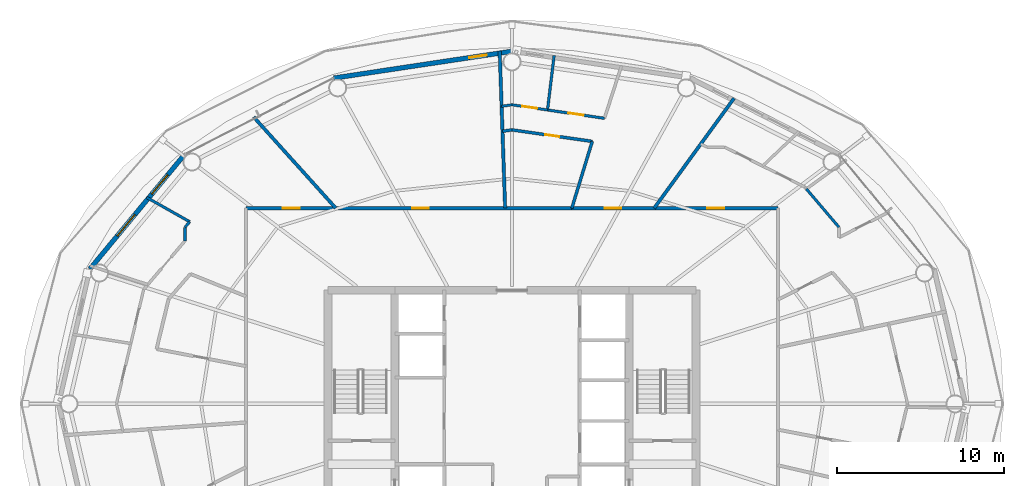
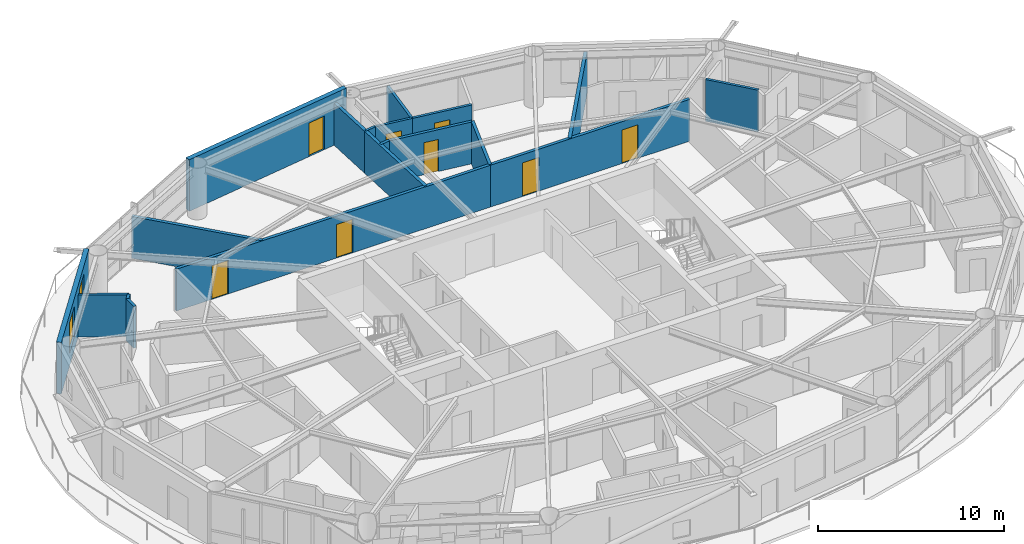
# One storey, part 25 of 30: 19 walls, 8 doors, 2 windows, 10 openings.
"""IFC4 building model written with IfcOpenShell, lengths in metres."""

from ifc_helpers import new_model, si_unit, direction, frame, frame_2d, origin, place, context, subcontext, project, spatial, rectangle, extrude, material, layer, layer_set, type_object, element, fill, save


model = new_model("IFC4")

# Units and contexts
model_context = context("Model", 3, precision=1e-05, world=origin(), true_north=direction((0.0, 1.0)))
body_context = subcontext(model_context, "Body", "Model", "MODEL_VIEW")
ifc_project = project(units=[si_unit("LENGTHUNIT", "METRE"), si_unit("AREAUNIT", "SQUARE_METRE"), si_unit("VOLUMEUNIT", "CUBIC_METRE"), si_unit("PLANEANGLEUNIT", "RADIAN"), si_unit("MASSUNIT", "GRAM", prefix="KILO")], contexts=[model_context])

# Site, building, storey
site_placement = place(None, origin())
site = spatial("IfcSite", under=ifc_project, at=site_placement, CompositionType="ELEMENT")
building_placement = place(site_placement, origin())
building = spatial("IfcBuilding", under=site, at=building_placement, Name="Sarneth Arch Tower", CompositionType="ELEMENT")
storey_placement = place(building_placement, frame((0.0, 0.0, 168.60009765625)))
storey = spatial("IfcBuildingStorey", under=building, at=storey_placement, Name="L42", CompositionType="ELEMENT", Elevation=168.60009765625)

# Wall, openings, doors
ifc_material_1 = material(Name="Double steel-stud corridor fire wall", Category="steel")
ifc_layer_1 = layer(ifc_material_1, 0.18994140625)
ifc_layer_set_1 = layer_set([ifc_layer_1], Name="Double steel-stud corridor fire wall")
wall_type_1 = type_object("IfcWallType", Name="WALL-CORR-190", PredefinedType="PARTITIONING", material=ifc_layer_set_1)
wall_1_placement = place(storey_placement, frame((32.10009765625, 53.699951171875, 0.0), z_axis=(0.0, 0.0, 1.0), x_axis=(1.0, 0.0, 0.0)))
wall_1 = element("IfcWall", 1, at=wall_1_placement, inside=storey, type_object=wall_type_1, Name="L42 Interior partition W-L42-TP-006", PredefinedType="PARTITIONING", context=body_context, shape_type="SweptSolid", body=[
    extrude(rectangle(XDim=19.476806640625, YDim=0.18994140625, at=frame_2d((9.73828125, 0.0))), origin(), (0.0, 0.0, 1.0), 2.739990234375),
])
opening_1_placement = place(wall_1_placement, frame((9.9228515625, 0.0, 0.0)))
opening_1 = element("IfcOpeningElement", 2, at=opening_1_placement, cuts=wall_1, Name="Opening FD-08", PredefinedType="OPENING", context=body_context, shape_type="SweptSolid", body=[
    extrude(rectangle(XDim=1.0, YDim=2.199951171875, at=frame_2d((0.5, 1.10009765625))), frame((0.0, 0.10498046875, 0.0), z_axis=(0.0, -1.0, 0.0), x_axis=(1.0, 0.0, 0.0)), (0.0, 0.0, 1.0), 0.2099609375),
])
opening_2_placement = place(wall_1_placement, frame((2.2041015625, 0.0, 0.0)))
opening_2 = element("IfcOpeningElement", 3, at=opening_2_placement, cuts=wall_1, Name="Opening FD-08", PredefinedType="OPENING", context=body_context, shape_type="SweptSolid", body=[
    extrude(rectangle(XDim=1.0, YDim=2.199951171875, at=frame_2d((0.5, 1.10009765625))), frame((0.0, 0.10498046875, 0.0), z_axis=(0.0, -1.0, 0.0), x_axis=(1.0, 0.0, 0.0)), (0.0, 0.0, 1.0), 0.2099609375),
])
ifc_material_2 = material(Name="Hardwood timber acoustic fire door", Category="wood")
door_type_1 = type_object("IfcDoorType", Name="DR-FD60-1000", OperationType="SINGLE_SWING_LEFT", PredefinedType="DOOR", material=ifc_material_2)
door_1_placement = place(opening_1_placement, origin())
door_1 = element("IfcDoor", 4, at=door_1_placement, inside=storey, type_object=door_type_1, Name="L42 Interior door DR-L42-RAMN-03", OperationType="SINGLE_SWING_RIGHT", OverallHeight=2.199951171875, OverallWidth=1.0, PredefinedType="DOOR", context=body_context, shape_type="SweptSolid", body=[
    extrude(rectangle(XDim=1.0, YDim=2.199951171875, at=frame_2d((0.5, 1.10009765625))), frame((0.0, 0.02490234375, 0.0), z_axis=(0.0, -1.0, 0.0), x_axis=(1.0, 0.0, 0.0)), (0.0, 0.0, 1.0), 0.050048828125),
])
fill(opening_1, door_1)
door_2_placement = place(opening_2_placement, origin())
door_2 = element("IfcDoor", 5, at=door_2_placement, inside=storey, type_object=door_type_1, Name="L42 Interior door DR-L42-U4-ENT", OperationType="SINGLE_SWING_LEFT", OverallHeight=2.199951171875, OverallWidth=1.0, PredefinedType="DOOR", context=body_context, shape_type="SweptSolid", body=[
    extrude(rectangle(XDim=1.0, YDim=2.199951171875, at=frame_2d((0.5, 1.10009765625))), frame((0.0, 0.02490234375, 0.0), z_axis=(0.0, -1.0, 0.0), x_axis=(1.0, 0.0, 0.0)), (0.0, 0.0, 1.0), 0.050048828125),
])
fill(opening_2, door_2)

wall_2_placement = place(storey_placement, frame((51.54345703125, 53.699951171875, 0.0), z_axis=(0.0, 0.0, 1.0), x_axis=(1.0, 0.0, 0.0)))
wall_2 = element("IfcWall", 6, at=wall_2_placement, inside=storey, type_object=wall_type_1, Name="L42 Interior partition W-L42-TP-001", PredefinedType="PARTITIONING", context=body_context, shape_type="SweptSolid", body=[
    extrude(rectangle(XDim=12.3564453125, YDim=0.18994140625, at=frame_2d((6.17822265625, 0.0))), origin(), (0.0, 0.0, 1.0), 2.739990234375),
])
opening_3_placement = place(wall_2_placement, frame((8.136962890625, 0.0, 0.0)))
opening_3 = element("IfcOpeningElement", 7, at=opening_3_placement, cuts=wall_2, Name="Opening FD-08", PredefinedType="OPENING", context=body_context, shape_type="SweptSolid", body=[
    extrude(rectangle(XDim=1.0, YDim=2.199951171875, at=frame_2d((0.5, 1.10009765625))), frame((0.0, 0.10498046875, 0.0), z_axis=(0.0, -1.0, 0.0), x_axis=(1.0, 0.0, 0.0)), (0.0, 0.0, 1.0), 0.2099609375),
])
opening_4_placement = place(wall_2_placement, frame((1.998291015625, 0.0, 0.0)))
opening_4 = element("IfcOpeningElement", 8, at=opening_4_placement, cuts=wall_2, Name="Opening FD-08", PredefinedType="OPENING", context=body_context, shape_type="SweptSolid", body=[
    extrude(rectangle(XDim=1.0, YDim=2.199951171875, at=frame_2d((0.5, 1.10009765625))), frame((0.0, 0.10498046875, 0.0), z_axis=(0.0, -1.0, 0.0), x_axis=(1.0, 0.0, 0.0)), (0.0, 0.0, 1.0), 0.2099609375),
])
door_3_placement = place(opening_3_placement, origin())
door_3 = element("IfcDoor", 9, at=door_3_placement, inside=storey, type_object=door_type_1, Name="L42 Interior door DR-L42-U1-ENT", OperationType="SINGLE_SWING_LEFT", OverallHeight=2.199951171875, OverallWidth=1.0, PredefinedType="DOOR", context=body_context, shape_type="SweptSolid", body=[
    extrude(rectangle(XDim=1.0, YDim=2.199951171875, at=frame_2d((0.5, 1.10009765625))), frame((0.0, 0.02490234375, 0.0), z_axis=(0.0, -1.0, 0.0), x_axis=(1.0, 0.0, 0.0)), (0.0, 0.0, 1.0), 0.050048828125),
])
fill(opening_3, door_3)
door_4_placement = place(opening_4_placement, origin())
door_4 = element("IfcDoor", 10, at=door_4_placement, inside=storey, type_object=door_type_1, Name="L42 Interior door DR-L42-U2-ENT", OperationType="SINGLE_SWING_RIGHT", OverallHeight=2.199951171875, OverallWidth=1.0, PredefinedType="DOOR", context=body_context, shape_type="SweptSolid", body=[
    extrude(rectangle(XDim=1.0, YDim=2.199951171875, at=frame_2d((0.5, 1.10009765625))), frame((0.0, 0.02490234375, 0.0), z_axis=(0.0, -1.0, 0.0), x_axis=(1.0, 0.0, 0.0)), (0.0, 0.0, 1.0), 0.050048828125),
])
fill(opening_4, door_4)

# Wall, opening, door
ifc_material_3 = material(Name="Extruded terracotta rainscreen on Concrete C40/50 backing", Category="masonry")
ifc_layer_2 = layer(ifc_material_3, 0.280029296875)
ifc_layer_set_2 = layer_set([ifc_layer_2], Name="Extruded terracotta rainscreen on Concrete C40/50 backing")
wall_type_2 = type_object("IfcWallType", Name="WALL-EXT-TERRA-280", PredefinedType="SOLIDWALL", material=ifc_layer_set_2)
wall_3_placement = place(storey_placement, frame((48.0, 63.080078125, 0.0), z_axis=(0.0, 0.0, 1.0), x_axis=(-0.988863993413, -0.148822049884, 0.0)))
wall_3 = element("IfcWall", 11, at=wall_3_placement, inside=storey, type_object=wall_type_2, Name="L42 Terracotta perimeter wall 05", PredefinedType="SOLIDWALL", context=body_context, shape_type="SweptSolid", body=[
    extrude(rectangle(XDim=10.782958984375, YDim=0.280029296875, at=frame_2d((5.3916015625, 0.0))), origin(), (0.0, 0.0, 1.0), 3.3798828125),
])
opening_5_placement = place(wall_3_placement, frame((1.523681640625, 0.0, 0.0)))
opening_5 = element("IfcOpeningElement", 12, at=opening_5_placement, cuts=wall_3, Name="Opening BD-4", PredefinedType="OPENING", context=body_context, shape_type="SweptSolid", body=[
    extrude(rectangle(XDim=1.050048828125, YDim=2.199951171875, at=frame_2d((0.52490234375, 1.10009765625))), frame((0.0, 0.14990234375, 0.0), z_axis=(0.0, -1.0, 0.0), x_axis=(1.0, 0.0, 0.0)), (0.0, 0.0, 1.0), 0.300048828125),
])
ifc_material_4 = material(Name="Thermally broken Aluminium 6063-T6 and laminated safety glass", Category="aluminium")
door_type_2 = type_object("IfcDoorType", Name="DR-BALC-GLZ-1050", OperationType="SINGLE_SWING_RIGHT", PredefinedType="DOOR", material=ifc_material_4)
door_5_placement = place(opening_5_placement, origin())
door_5 = element("IfcDoor", 13, at=door_5_placement, inside=storey, type_object=door_type_2, Name="L42 Balcony glazed door 05", OperationType="SINGLE_SWING_RIGHT", OverallHeight=2.199951171875, OverallWidth=1.050048828125, PredefinedType="DOOR", context=body_context, shape_type="SweptSolid", body=[
    extrude(rectangle(XDim=1.050048828125, YDim=2.199951171875, at=frame_2d((0.52490234375, 1.10009765625))), frame((0.0, 0.02490234375, 0.0), z_axis=(0.0, -1.0, 0.0), x_axis=(1.0, 0.0, 0.0)), (0.0, 0.0, 1.0), 0.050048828125),
])
fill(opening_5, door_5)

# Wall, openings, windows
wall_4_placement = place(storey_placement, frame((28.423828125, 56.90576171875, 0.0), z_axis=(0.0, 0.0, 1.0), x_axis=(-0.637333477683, -0.770588111915, 0.0)))
wall_4 = element("IfcWall", 14, at=wall_4_placement, inside=storey, type_object=wall_type_2, Name="L42 Terracotta perimeter wall 07", PredefinedType="SOLIDWALL", context=body_context, shape_type="SweptSolid", body=[
    extrude(rectangle(XDim=8.874755859375, YDim=0.280029296875, at=frame_2d((4.4375, 0.0))), origin(), (0.0, 0.0, 1.0), 3.3798828125),
])
opening_6_placement = place(wall_4_placement, frame((1.56640625, 0.0, 0.85009765625)))
opening_6 = element("IfcOpeningElement", 15, at=opening_6_placement, cuts=wall_4, Name="Opening W-06", PredefinedType="OPENING", context=body_context, shape_type="SweptSolid", body=[
    extrude(rectangle(XDim=1.5, YDim=2.0, at=frame_2d((0.75, 1.0))), frame((0.0, 0.14990234375, 0.0), z_axis=(0.0, -1.0, 0.0), x_axis=(1.0, 0.0, 0.0)), (0.0, 0.0, 1.0), 0.300048828125),
])
opening_7_placement = place(wall_4_placement, frame((4.6591796875, 0.0, 0.85009765625)))
opening_7 = element("IfcOpeningElement", 16, at=opening_7_placement, cuts=wall_4, Name="Opening W-05", PredefinedType="OPENING", context=body_context, shape_type="SweptSolid", body=[
    extrude(rectangle(XDim=1.64990234375, YDim=2.0, at=frame_2d((0.824951171875, 1.0))), frame((0.0, 0.14990234375, 0.0), z_axis=(0.0, -1.0, 0.0), x_axis=(1.0, 0.0, 0.0)), (0.0, 0.0, 1.0), 0.300048828125),
])
ifc_material_5 = material(Name="Thermally broken Aluminium 6063-T6 and low-e laminated IGU", Category="aluminium")
window_type_1 = type_object("IfcWindowType", Name="WIN-TWR-1500x2000", PartitioningType="SINGLE_PANEL", PredefinedType="WINDOW", material=ifc_material_5)
window_1_placement = place(opening_6_placement, origin())
window_1 = element("IfcWindow", 17, at=window_1_placement, inside=storey, type_object=window_type_1, Name="L42 Exterior window 07A", OverallHeight=2.0, OverallWidth=1.5, PartitioningType="SINGLE_PANEL", PredefinedType="WINDOW", context=body_context, shape_type="SweptSolid", body=[
    extrude(rectangle(XDim=1.5, YDim=2.0, at=frame_2d((0.75, 1.0))), frame((0.0, 0.030029296875, 0.0), z_axis=(0.0, -1.0, 0.0), x_axis=(1.0, 0.0, 0.0)), (0.0, 0.0, 1.0), 0.06005859375),
])
fill(opening_6, window_1)
ifc_material_6 = material(Name="Thermally broken Aluminium 6063-T6 and low-e laminated IGU", Category="aluminium")
window_type_2 = type_object("IfcWindowType", Name="WIN-TWR-1650x2000", PartitioningType="DOUBLE_PANEL_VERTICAL", PredefinedType="WINDOW", material=ifc_material_6)
window_2_placement = place(opening_7_placement, origin())
window_2 = element("IfcWindow", 18, at=window_2_placement, inside=storey, type_object=window_type_2, Name="L42 Exterior window 07B", OverallHeight=2.0, OverallWidth=1.64990234375, PartitioningType="SINGLE_PANEL", PredefinedType="WINDOW", context=body_context, shape_type="SweptSolid", body=[
    extrude(rectangle(XDim=1.64990234375, YDim=2.0, at=frame_2d((0.824951171875, 1.0))), frame((0.0, 0.030029296875, 0.0), z_axis=(0.0, -1.0, 0.0), x_axis=(1.0, 0.0, 0.0)), (0.0, 0.0, 1.0), 0.06005859375),
])
fill(opening_7, window_2)

# Wall, opening, door
ifc_material_7 = material(Name="Acoustic gypsum stud partition", Category="gypsum")
ifc_layer_3 = layer(ifc_material_7, 0.14990234375)
ifc_layer_set_3 = layer_set([ifc_layer_3], Name="Acoustic gypsum stud partition")
wall_type_3 = type_object("IfcWallType", Name="WALL-PART-150", PredefinedType="PARTITIONING", material=ifc_layer_set_3)
wall_5_placement = place(storey_placement, frame((50.1240234375, 59.5693359375, 0.0), z_axis=(0.0, 0.0, 1.0), x_axis=(-0.989480132544, 0.144668819379, 0.0)))
wall_5 = element("IfcWall", 19, at=wall_5_placement, inside=storey, type_object=wall_type_3, Name="L42 Interior partition W-L42-TP-046", PredefinedType="PARTITIONING", context=body_context, shape_type="SweptSolid", body=[
    extrude(rectangle(XDim=2.146484375, YDim=0.14990234375, at=frame_2d((1.0732421875, 0.0))), origin(), (0.0, 0.0, 1.0), 2.739990234375),
])
opening_8_placement = place(wall_5_placement, frame((0.623291015625, 0.0, 0.0)))
opening_8 = element("IfcOpeningElement", 20, at=opening_8_placement, cuts=wall_5, Name="Opening ID-01", PredefinedType="OPENING", context=body_context, shape_type="SweptSolid", body=[
    extrude(rectangle(XDim=0.89990234375, YDim=2.10009765625, at=frame_2d((0.449951171875, 1.050048828125))), frame((0.0, 0.0849609375, 0.0), z_axis=(0.0, -1.0, 0.0), x_axis=(1.0, 0.0, 0.0)), (0.0, 0.0, 1.0), 0.169921875),
])
ifc_material_8 = material(Name="Engineered hardwood flush door", Category="wood")
door_type_3 = type_object("IfcDoorType", Name="DR-INT-900", OperationType="SINGLE_SWING_LEFT", PredefinedType="DOOR", material=ifc_material_8)
door_6_placement = place(opening_8_placement, origin())
door_6 = element("IfcDoor", 21, at=door_6_placement, inside=storey, type_object=door_type_3, Name="L42 Interior door DR-L42-U2-BED1", OperationType="SINGLE_SWING_RIGHT", OverallHeight=2.10009765625, OverallWidth=0.89990234375, PredefinedType="DOOR", context=body_context, shape_type="SweptSolid", body=[
    extrude(rectangle(XDim=0.89990234375, YDim=2.10009765625, at=frame_2d((0.449951171875, 1.050048828125))), frame((0.0, 0.02490234375, 0.0), z_axis=(0.0, -1.0, 0.0), x_axis=(1.0, 0.0, 0.0)), (0.0, 0.0, 1.0), 0.050048828125),
])
fill(opening_8, door_6)

# Wall
wall_6_placement = place(storey_placement, frame((48.0, 59.8798828125, 0.0), z_axis=(0.0, 0.0, 1.0), x_axis=(-0.989477367745, -0.144687728302, 0.0)))
element("IfcWall", 22, at=wall_6_placement, inside=storey, type_object=wall_type_3, Name="L42 Interior partition W-L42-TP-047", PredefinedType="PARTITIONING", context=body_context, shape_type="SweptSolid", body=[
    extrude(rectangle(XDim=0.627685546875, YDim=0.14990234375, at=frame_2d((0.31396484375, 0.0))), origin(), (0.0, 0.0, 1.0), 2.739990234375),
])

# Wall, opening, door
ifc_material_9 = material(Name="Kitchen wet service chase wall", Category="gypsum")
ifc_layer_4 = layer(ifc_material_9, 0.159912109375)
ifc_layer_set_4 = layer_set([ifc_layer_4], Name="Kitchen wet service chase wall")
wall_type_4 = type_object("IfcWallType", Name="WALL-PLUMB-160", PredefinedType="PLUMBINGWALL", material=ifc_layer_set_4)
wall_7_placement = place(storey_placement, frame((53.528076171875, 59.0712890625, 0.0), z_axis=(0.0, 0.0, 1.0), x_axis=(-0.989465527394, 0.144768677895, 0.0)))
wall_7 = element("IfcWall", 23, at=wall_7_placement, inside=storey, type_object=wall_type_4, Name="L42 Interior partition W-L42-TP-042", PredefinedType="PLUMBINGWALL", context=body_context, shape_type="SweptSolid", body=[
    extrude(rectangle(XDim=3.440185546875, YDim=0.159912109375, at=frame_2d((1.72021484375, 0.0))), origin(), (0.0, 0.0, 1.0), 2.739990234375),
])
opening_9_placement = place(wall_7_placement, frame((1.27001953125, 0.0, 0.0)))
opening_9 = element("IfcOpeningElement", 24, at=opening_9_placement, cuts=wall_7, Name="Opening ID-01", PredefinedType="OPENING", context=body_context, shape_type="SweptSolid", body=[
    extrude(rectangle(XDim=0.89990234375, YDim=2.10009765625, at=frame_2d((0.449951171875, 1.050048828125))), frame((0.0, 0.08984375, 0.0), z_axis=(0.0, -1.0, 0.0), x_axis=(1.0, 0.0, 0.0)), (0.0, 0.0, 1.0), 0.179931640625),
])
door_7_placement = place(opening_9_placement, origin())
door_7 = element("IfcDoor", 25, at=door_7_placement, inside=storey, type_object=door_type_3, Name="L42 Interior door DR-L42-U2-KIT", OperationType="SINGLE_SWING_LEFT", OverallHeight=2.10009765625, OverallWidth=0.89990234375, PredefinedType="DOOR", context=body_context, shape_type="SweptSolid", body=[
    extrude(rectangle(XDim=0.89990234375, YDim=2.10009765625, at=frame_2d((0.449951171875, 1.050048828125))), frame((0.0, 0.02490234375, 0.0), z_axis=(0.0, -1.0, 0.0), x_axis=(1.0, 0.0, 0.0)), (0.0, 0.0, 1.0), 0.050048828125),
])
fill(opening_9, door_7)

# Walls
wall_8_placement = place(storey_placement, frame((50.1240234375, 59.5693359375, 0.0), z_axis=(0.0, 0.0, 1.0), x_axis=(0.120026534479, 0.992770684006, 0.0)))
element("IfcWall", 26, at=wall_8_placement, inside=storey, type_object=wall_type_4, Name="L42 Interior partition W-L42-TP-049", PredefinedType="PLUMBINGWALL", context=body_context, shape_type="SweptSolid", body=[
    extrude(rectangle(XDim=3.27685546875, YDim=0.159912109375, at=frame_2d((1.638427734375, 0.0))), origin(), (0.0, 0.0, 1.0), 2.739990234375),
])
wall_9_placement = place(storey_placement, frame((67.550048828125, 52.556640625, 0.0), z_axis=(0.0, 0.0, 1.0), x_axis=(-0.64791931309, 0.761708975742, 0.0)))
element("IfcWall", 27, at=wall_9_placement, inside=storey, type_object=wall_type_4, Name="L42 Interior partition W-L42-TP-025", PredefinedType="PLUMBINGWALL", context=body_context, shape_type="SweptSolid", body=[
    extrude(rectangle(XDim=3.008056640625, YDim=0.159912109375, at=frame_2d((1.50390625, 0.0))), origin(), (0.0, 0.0, 1.0), 2.739990234375),
])
wall_10_placement = place(storey_placement, frame((26.15234375, 54.3447265625, 0.0), z_axis=(0.0, 0.0, 1.0), x_axis=(0.870631902874, -0.491935046219, 0.0)))
element("IfcWall", 28, at=wall_10_placement, inside=storey, type_object=wall_type_4, Name="L42 Interior partition W-L42-TP-053", PredefinedType="PLUMBINGWALL", context=body_context, shape_type="SweptSolid", body=[
    extrude(rectangle(XDim=2.96240234375, YDim=0.159912109375, at=frame_2d((1.481201171875, 0.0))), origin(), (0.0, 0.0, 1.0), 2.739990234375),
])
wall_11_placement = place(storey_placement, frame((28.449951171875, 52.556640625, 0.0), z_axis=(0.0, 0.0, 1.0), x_axis=(0.0, -1.0, 0.0)))
element("IfcWall", 29, at=wall_11_placement, inside=storey, type_object=wall_type_4, Name="L42 Interior partition W-L42-TP-055", PredefinedType="PLUMBINGWALL", context=body_context, shape_type="SweptSolid", body=[
    extrude(rectangle(XDim=0.812255859375, YDim=0.159912109375, at=frame_2d((0.40625, 0.0))), origin(), (0.0, 0.0, 1.0), 2.739990234375),
])
wall_12_placement = place(storey_placement, frame((28.7314453125, 52.887451171875, 0.0), z_axis=(0.0, 0.0, 1.0), x_axis=(-0.648056208932, -0.761592509196, 0.0)))
element("IfcWall", 30, at=wall_12_placement, inside=storey, type_object=wall_type_4, Name="L42 Interior partition W-L42-TP-054", PredefinedType="PLUMBINGWALL", context=body_context, shape_type="SweptSolid", body=[
    extrude(rectangle(XDim=0.434326171875, YDim=0.159912109375, at=frame_2d((0.21728515625, 0.0))), origin(), (0.0, 0.0, 1.0), 2.739990234375),
])

# Wall, opening, door
ifc_material_10 = material(Name="Moisture-resistant plumbing chase wall", Category="gypsum")
ifc_layer_5 = layer(ifc_material_10, 0.179931640625)
ifc_layer_set_5 = layer_set([ifc_layer_5], Name="Moisture-resistant plumbing chase wall")
wall_type_5 = type_object("IfcWallType", Name="WALL-PLUMB-180", PredefinedType="PLUMBINGWALL", material=ifc_layer_set_5)
wall_13_placement = place(storey_placement, frame((48.0, 58.3798828125, 0.0), z_axis=(0.0, 0.0, 1.0), x_axis=(0.989829244093, -0.142260562131, 0.0)))
wall_13 = element("IfcWall", 31, at=wall_13_placement, inside=storey, type_object=wall_type_5, Name="L42 Interior partition W-L42-TP-044", PredefinedType="PLUMBINGWALL", context=body_context, shape_type="SweptSolid", body=[
    extrude(rectangle(XDim=4.846435546875, YDim=0.179931640625, at=frame_2d((2.42333984375, 0.0))), origin(), (0.0, 0.0, 1.0), 2.739990234375),
])
opening_10_placement = place(wall_13_placement, frame((1.998291015625, 0.0, 0.0)))
opening_10 = element("IfcOpeningElement", 32, at=opening_10_placement, cuts=wall_13, Name="Opening ID-02", PredefinedType="OPENING", context=body_context, shape_type="SweptSolid", body=[
    extrude(rectangle(XDim=0.85009765625, YDim=2.10009765625, at=frame_2d((0.425048828125, 1.050048828125))), frame((0.0, 0.099853515625, 0.0), z_axis=(0.0, -1.0, 0.0), x_axis=(1.0, 0.0, 0.0)), (0.0, 0.0, 1.0), 0.199951171875),
])
ifc_material_11 = material(Name="Moisture-resistant bathroom timber door", Category="wood")
door_type_4 = type_object("IfcDoorType", Name="DR-INT-850", OperationType="SINGLE_SWING_RIGHT", PredefinedType="DOOR", material=ifc_material_11)
door_8_placement = place(opening_10_placement, origin())
door_8 = element("IfcDoor", 33, at=door_8_placement, inside=storey, type_object=door_type_4, Name="L42 Interior door DR-L42-U2-BATH", OperationType="SINGLE_SWING_LEFT", OverallHeight=2.10009765625, OverallWidth=0.85009765625, PredefinedType="DOOR", context=body_context, shape_type="SweptSolid", body=[
    extrude(rectangle(XDim=0.85009765625, YDim=2.10009765625, at=frame_2d((0.425048828125, 1.050048828125))), frame((0.0, 0.02490234375, 0.0), z_axis=(0.0, -1.0, 0.0), x_axis=(1.0, 0.0, 0.0)), (0.0, 0.0, 1.0), 0.050048828125),
])
fill(opening_10, door_8)

# Walls
wall_14_placement = place(storey_placement, frame((52.797119140625, 57.6904296875, 0.0), z_axis=(0.0, 0.0, 1.0), x_axis=(-0.29241622154, -0.956291144673, 0.0)))
element("IfcWall", 34, at=wall_14_placement, inside=storey, type_object=wall_type_5, Name="L42 Interior partition W-L42-TP-045", PredefinedType="PLUMBINGWALL", context=body_context, shape_type="SweptSolid", body=[
    extrude(rectangle(XDim=4.1728515625, YDim=0.179931640625, at=frame_2d((2.08642578125, 0.0))), origin(), (0.0, 0.0, 1.0), 2.739990234375),
])
wall_15_placement = place(storey_placement, frame((47.430908203125, 58.298095703125, 0.0), z_axis=(0.0, 0.0, 1.0), x_axis=(0.989830245264, 0.142253595952, 0.0)))
element("IfcWall", 35, at=wall_15_placement, inside=storey, type_object=wall_type_5, Name="L42 Interior partition W-L42-TP-043", PredefinedType="PLUMBINGWALL", context=body_context, shape_type="SweptSolid", body=[
    extrude(rectangle(XDim=0.574951171875, YDim=0.179931640625, at=frame_2d((0.28759765625, 0.0))), origin(), (0.0, 0.0, 1.0), 2.739990234375),
])
ifc_material_12 = material(Name="Double steel-stud acoustic drywall", Category="steel")
ifc_layer_6 = layer(ifc_material_12, 0.199951171875)
ifc_layer_set_6 = layer_set([ifc_layer_6], Name="Double steel-stud acoustic drywall")
wall_type_6 = type_object("IfcWallType", Name="WALL-UNIT-200", PredefinedType="PARTITIONING", material=ifc_layer_set_6)
wall_16_placement = place(storey_placement, frame((37.46533203125, 53.699951171875, 0.0), z_axis=(0.0, 0.0, 1.0), x_axis=(-0.669128292476, 0.7431469089, 0.0)))
element("IfcWall", 36, at=wall_16_placement, inside=storey, type_object=wall_type_6, Name="L42 Interior partition W-L42-TP-052", PredefinedType="PARTITIONING", context=body_context, shape_type="SweptSolid", body=[
    extrude(rectangle(XDim=7.3388671875, YDim=0.199951171875, at=frame_2d((3.66943359375, 0.0))), origin(), (0.0, 0.0, 1.0), 2.739990234375),
])
wall_17_placement = place(storey_placement, frame((61.27392578125, 60.27001953125, 0.0), z_axis=(0.0, 0.0, 1.0), x_axis=(-0.587785528328, -0.809016793823, 0.0)))
element("IfcWall", 37, at=wall_17_placement, inside=storey, type_object=wall_type_6, Name="L42 Interior partition W-L42-TP-034", PredefinedType="PARTITIONING", context=body_context, shape_type="SweptSolid", body=[
    extrude(rectangle(XDim=8.12109375, YDim=0.199951171875, at=frame_2d((4.060546875, 0.0))), origin(), (0.0, 0.0, 1.0), 2.739990234375),
])
wall_18_placement = place(storey_placement, frame((47.377685546875, 59.8212890625, 0.0), z_axis=(0.0, 0.0, 1.0), x_axis=(0.034876866147, -0.999391617039, 0.0)))
element("IfcWall", 38, at=wall_18_placement, inside=storey, type_object=wall_type_6, Name="L42 Interior partition W-L42-TP-050", PredefinedType="PARTITIONING", context=body_context, shape_type="SweptSolid", body=[
    extrude(rectangle(XDim=6.125, YDim=0.199951171875, at=frame_2d((3.0625, 0.0))), origin(), (0.0, 0.0, 1.0), 2.739990234375),
])
wall_19_placement = place(storey_placement, frame((47.263427734375, 63.089599609375, 0.0), z_axis=(0.0, 0.0, 1.0), x_axis=(0.034921182562, -0.999390069497, 0.0)))
element("IfcWall", 39, at=wall_19_placement, inside=storey, type_object=wall_type_6, Name="L42 Interior partition W-L42-TP-051", PredefinedType="PARTITIONING", context=body_context, shape_type="SweptSolid", body=[
    extrude(rectangle(XDim=3.334716796875, YDim=0.199951171875, at=frame_2d((1.66748046875, 0.0))), origin(), (0.0, 0.0, 1.0), 2.739990234375),
])

save(model, "model.ifc")
